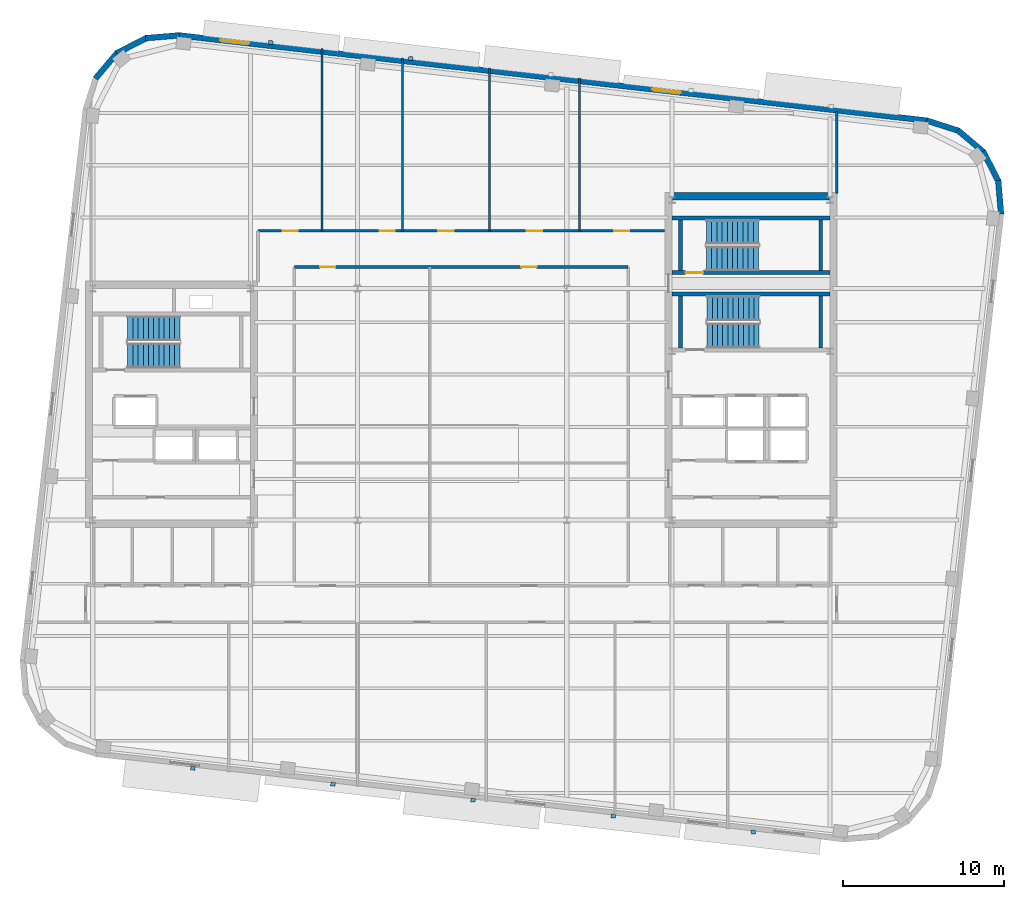
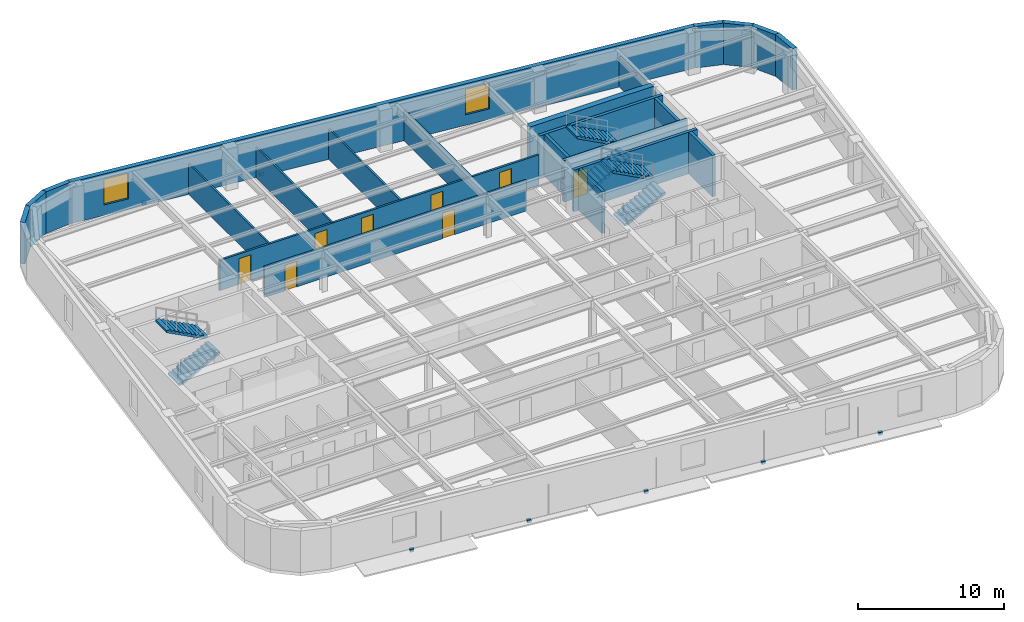
# One storey, part 8 of 13: 23 walls, 8 doors, 7 discrete accessories, 6 stair flights, 2 windows, 10 openings, 3 elements without a shape of their own.
"""IFC4 building model written with IfcOpenShell, lengths in metres."""

from ifc_helpers import new_model, si_unit, direction, frame, frame_2d, origin, origin_2d, place, context, subcontext, project, spatial, polyline, rectangle, outline, extrude, material, layer, layer_set, type_object, element, fill, aggregate, save


model = new_model("IFC4")

# Units and contexts
model_context = context("Model", 3, precision=1e-05, world=origin(), true_north=direction((0.0, 1.0)))
body_context = subcontext(model_context, "Body", "Model", "MODEL_VIEW")
ifc_project = project(units=[si_unit("LENGTHUNIT", "METRE"), si_unit("AREAUNIT", "SQUARE_METRE"), si_unit("VOLUMEUNIT", "CUBIC_METRE"), si_unit("PLANEANGLEUNIT", "RADIAN"), si_unit("MASSUNIT", "GRAM", prefix="KILO")], contexts=[model_context])

# Site, building, storey
site_placement = place(None, origin())
site = spatial("IfcSite", under=ifc_project, at=site_placement, CompositionType="ELEMENT")
building_placement = place(site_placement, origin())
building = spatial("IfcBuilding", under=site, at=building_placement, Name="Kolvaren Arena Tower", CompositionType="ELEMENT")
storey_placement = place(building_placement, frame((0.0, 0.0, 250.949951171875)))
storey = spatial("IfcBuildingStorey", under=building, at=storey_placement, Name="L61", CompositionType="ELEMENT", Elevation=250.949951171875)

# Wall, openings, doors
ifc_material_1 = material(Name="Gypsum board acoustic assembly", Category="gypsum")
ifc_layer_1 = layer(ifc_material_1, 0.159912109375)
ifc_layer_set_1 = layer_set([ifc_layer_1], Name="Gypsum board acoustic assembly")
wall_type_1 = type_object("IfcWallType", Name="CORR-160", PredefinedType="PARTITIONING", material=ifc_layer_set_1)
wall_1_placement = place(storey_placement, frame((24.820068359375, 37.419921875, 0.0), z_axis=(0.0, 0.0, 1.0), x_axis=(1.0, 0.0, 0.0)))
wall_1 = element("IfcWall", 1, at=wall_1_placement, inside=storey, type_object=wall_type_1, Name="Interior Partition Wall (L61)", PredefinedType="PARTITIONING", context=body_context, shape_type="SweptSolid", body=[
    extrude(rectangle(XDim=25.260009765625, YDim=0.159912109375, at=frame_2d((12.6298828125, 0.0))), origin(), (0.0, 0.0, 1.0), 2.5400390625),
])
opening_1_placement = place(wall_1_placement, frame((1.530029296875, 0.0, 0.0)))
opening_1 = element("IfcOpeningElement", 2, at=opening_1_placement, cuts=wall_1, Name="Opening D05", PredefinedType="OPENING", context=body_context, shape_type="SweptSolid", body=[
    extrude(rectangle(XDim=0.949951171875, YDim=2.14990234375, at=frame_2d((0.47509765625, 1.074951171875))), frame((0.0, 0.08984375, 0.0), z_axis=(0.0, -1.0, 0.0), x_axis=(1.0, 0.0, 0.0)), (0.0, 0.0, 1.0), 0.179931640625),
])
opening_2_placement = place(wall_1_placement, frame((7.554931640625, 0.0, 0.0)))
opening_2 = element("IfcOpeningElement", 3, at=opening_2_placement, cuts=wall_1, Name="Opening D05", PredefinedType="OPENING", context=body_context, shape_type="SweptSolid", body=[
    extrude(rectangle(XDim=0.949951171875, YDim=2.14990234375, at=frame_2d((0.47509765625, 1.074951171875))), frame((0.0, 0.08984375, 0.0), z_axis=(0.0, -1.0, 0.0), x_axis=(1.0, 0.0, 0.0)), (0.0, 0.0, 1.0), 0.179931640625),
])
opening_3_placement = place(wall_1_placement, frame((11.205078125, 0.0, 0.0)))
opening_3 = element("IfcOpeningElement", 4, at=opening_3_placement, cuts=wall_1, Name="Opening D05", PredefinedType="OPENING", context=body_context, shape_type="SweptSolid", body=[
    extrude(rectangle(XDim=0.949951171875, YDim=2.14990234375, at=frame_2d((0.47509765625, 1.074951171875))), frame((0.0, 0.08984375, 0.0), z_axis=(0.0, -1.0, 0.0), x_axis=(1.0, 0.0, 0.0)), (0.0, 0.0, 1.0), 0.179931640625),
])
opening_4_placement = place(wall_1_placement, frame((16.705078125, 0.0, 0.0)))
opening_4 = element("IfcOpeningElement", 5, at=opening_4_placement, cuts=wall_1, Name="Opening D05", PredefinedType="OPENING", context=body_context, shape_type="SweptSolid", body=[
    extrude(rectangle(XDim=0.949951171875, YDim=2.14990234375, at=frame_2d((0.47509765625, 1.074951171875))), frame((0.0, 0.08984375, 0.0), z_axis=(0.0, -1.0, 0.0), x_axis=(1.0, 0.0, 0.0)), (0.0, 0.0, 1.0), 0.179931640625),
])
opening_5_placement = place(wall_1_placement, frame((22.1298828125, 0.0, 0.0)))
opening_5 = element("IfcOpeningElement", 6, at=opening_5_placement, cuts=wall_1, Name="Opening D05", PredefinedType="OPENING", context=body_context, shape_type="SweptSolid", body=[
    extrude(rectangle(XDim=0.949951171875, YDim=2.14990234375, at=frame_2d((0.47509765625, 1.074951171875))), frame((0.0, 0.08984375, 0.0), z_axis=(0.0, -1.0, 0.0), x_axis=(1.0, 0.0, 0.0)), (0.0, 0.0, 1.0), 0.179931640625),
])
ifc_material_2 = material(Name="Solid-core oak acoustic office door", Category="wood")
door_type_1 = type_object("IfcDoorType", Name="DOOR-OF-095", OperationType="NOTDEFINED", PredefinedType="DOOR", material=ifc_material_2)
door_1_placement = place(opening_1_placement, origin())
door_1 = element("IfcDoor", 7, at=door_1_placement, inside=storey, type_object=door_type_1, Name="Wellness Room Door (L61)", OperationType="SINGLE_SWING_LEFT", OverallHeight=2.14990234375, OverallWidth=0.949951171875, PredefinedType="DOOR", context=body_context, shape_type="SweptSolid", body=[
    extrude(rectangle(XDim=0.949951171875, YDim=2.14990234375, at=frame_2d((0.47509765625, 1.074951171875))), frame((0.0, 0.02490234375, 0.0), z_axis=(0.0, -1.0, 0.0), x_axis=(1.0, 0.0, 0.0)), (0.0, 0.0, 1.0), 0.050048828125),
])
fill(opening_1, door_1)
door_2_placement = place(opening_2_placement, origin())
door_2 = element("IfcDoor", 8, at=door_2_placement, inside=storey, type_object=door_type_1, Name="Client Lounge Door (L61)", OperationType="SINGLE_SWING_RIGHT", OverallHeight=2.14990234375, OverallWidth=0.949951171875, PredefinedType="DOOR", context=body_context, shape_type="SweptSolid", body=[
    extrude(rectangle(XDim=0.949951171875, YDim=2.14990234375, at=frame_2d((0.47509765625, 1.074951171875))), frame((0.0, 0.02490234375, 0.0), z_axis=(0.0, -1.0, 0.0), x_axis=(1.0, 0.0, 0.0)), (0.0, 0.0, 1.0), 0.050048828125),
])
fill(opening_2, door_2)
door_3_placement = place(opening_3_placement, origin())
door_3 = element("IfcDoor", 9, at=door_3_placement, inside=storey, type_object=door_type_1, Name="Executive Office Door (L61)", OperationType="SINGLE_SWING_LEFT", OverallHeight=2.14990234375, OverallWidth=0.949951171875, PredefinedType="DOOR", context=body_context, shape_type="SweptSolid", body=[
    extrude(rectangle(XDim=0.949951171875, YDim=2.14990234375, at=frame_2d((0.47509765625, 1.074951171875))), frame((0.0, 0.02490234375, 0.0), z_axis=(0.0, -1.0, 0.0), x_axis=(1.0, 0.0, 0.0)), (0.0, 0.0, 1.0), 0.050048828125),
])
fill(opening_3, door_3)
door_4_placement = place(opening_4_placement, origin())
door_4 = element("IfcDoor", 10, at=door_4_placement, inside=storey, type_object=door_type_1, Name="Training Seminar Room Door (L61)", OperationType="SINGLE_SWING_RIGHT", OverallHeight=2.14990234375, OverallWidth=0.949951171875, PredefinedType="DOOR", context=body_context, shape_type="SweptSolid", body=[
    extrude(rectangle(XDim=0.949951171875, YDim=2.14990234375, at=frame_2d((0.47509765625, 1.074951171875))), frame((0.0, 0.02490234375, 0.0), z_axis=(0.0, -1.0, 0.0), x_axis=(1.0, 0.0, 0.0)), (0.0, 0.0, 1.0), 0.050048828125),
])
fill(opening_4, door_4)
door_5_placement = place(opening_5_placement, origin())
door_5 = element("IfcDoor", 11, at=door_5_placement, inside=storey, type_object=door_type_1, Name="Boardroom Door (L61)", OperationType="SINGLE_SWING_LEFT", OverallHeight=2.14990234375, OverallWidth=0.949951171875, PredefinedType="DOOR", context=body_context, shape_type="SweptSolid", body=[
    extrude(rectangle(XDim=0.949951171875, YDim=2.14990234375, at=frame_2d((0.47509765625, 1.074951171875))), frame((0.0, 0.02490234375, 0.0), z_axis=(0.0, -1.0, 0.0), x_axis=(1.0, 0.0, 0.0)), (0.0, 0.0, 1.0), 0.050048828125),
])
fill(opening_5, door_5)

wall_2_placement = place(storey_placement, frame((27.080078125, 35.179931640625, 0.0), z_axis=(0.0, 0.0, 1.0), x_axis=(1.0, 0.0, 0.0)))
wall_2 = element("IfcWall", 12, at=wall_2_placement, inside=storey, type_object=wall_type_1, Name="Interior Partition Wall (L61)", PredefinedType="PARTITIONING", context=body_context, shape_type="SweptSolid", body=[
    extrude(rectangle(XDim=20.739990234375, YDim=0.159912109375, at=frame_2d((10.3701171875, 0.0))), origin(), (0.0, 0.0, 1.0), 2.5400390625),
])
opening_6_placement = place(wall_2_placement, frame((1.594970703125, 0.0, 0.0)))
opening_6 = element("IfcOpeningElement", 13, at=opening_6_placement, cuts=wall_2, Name="Opening D05", PredefinedType="OPENING", context=body_context, shape_type="SweptSolid", body=[
    extrude(rectangle(XDim=0.949951171875, YDim=2.14990234375, at=frame_2d((0.47509765625, 1.074951171875))), frame((0.0, 0.08984375, 0.0), z_axis=(0.0, -1.0, 0.0), x_axis=(1.0, 0.0, 0.0)), (0.0, 0.0, 1.0), 0.179931640625),
])
opening_7_placement = place(wall_2_placement, frame((14.094970703125, 0.0, 0.0)))
opening_7 = element("IfcOpeningElement", 14, at=opening_7_placement, cuts=wall_2, Name="Opening D05", PredefinedType="OPENING", context=body_context, shape_type="SweptSolid", body=[
    extrude(rectangle(XDim=0.949951171875, YDim=2.14990234375, at=frame_2d((0.47509765625, 1.074951171875))), frame((0.0, 0.08984375, 0.0), z_axis=(0.0, -1.0, 0.0), x_axis=(1.0, 0.0, 0.0)), (0.0, 0.0, 1.0), 0.179931640625),
])
door_6_placement = place(opening_6_placement, origin())
door_6 = element("IfcDoor", 15, at=door_6_placement, inside=storey, type_object=door_type_1, Name="Breakout Pantry and Kitchen Door (L61)", OperationType="SINGLE_SWING_RIGHT", OverallHeight=2.14990234375, OverallWidth=0.949951171875, PredefinedType="DOOR", context=body_context, shape_type="SweptSolid", body=[
    extrude(rectangle(XDim=0.949951171875, YDim=2.14990234375, at=frame_2d((0.47509765625, 1.074951171875))), frame((0.0, 0.02490234375, 0.0), z_axis=(0.0, -1.0, 0.0), x_axis=(1.0, 0.0, 0.0)), (0.0, 0.0, 1.0), 0.050048828125),
])
fill(opening_6, door_6)
door_7_placement = place(opening_7_placement, origin())
door_7 = element("IfcDoor", 16, at=door_7_placement, inside=storey, type_object=door_type_1, Name="Open Plan Office Door (L61)", OperationType="SINGLE_SWING_RIGHT", OverallHeight=2.14990234375, OverallWidth=0.949951171875, PredefinedType="DOOR", context=body_context, shape_type="SweptSolid", body=[
    extrude(rectangle(XDim=0.949951171875, YDim=2.14990234375, at=frame_2d((0.47509765625, 1.074951171875))), frame((0.0, 0.02490234375, 0.0), z_axis=(0.0, -1.0, 0.0), x_axis=(1.0, 0.0, 0.0)), (0.0, 0.0, 1.0), 0.050048828125),
])
fill(opening_7, door_7)

# Walls
ifc_material_3 = material(Name="Concrete 55 MPa", Category="concrete")
ifc_layer_2 = layer(ifc_material_3, 0.449951171875)
ifc_layer_set_2 = layer_set([ifc_layer_2], Name="Concrete 55 MPa")
wall_type_2 = type_object("IfcWallType", Name="CWALL-450", PredefinedType="SHEAR", material=ifc_layer_set_2)
wall_3_placement = place(storey_placement, frame((50.550048828125, 39.574951171875, -0.27001953125), z_axis=(0.0, 0.0, 1.0), x_axis=(1.0, 0.0, 0.0)))
element("IfcWall", 17, at=wall_3_placement, inside=storey, type_object=wall_type_2, Name="Core Shear Wall EC-NORTH (L61)", PredefinedType="SHEAR", context=body_context, shape_type="SweptSolid", body=[
    extrude(rectangle(XDim=9.800048828125, YDim=0.449951171875, at=frame_2d((4.89990234375, 0.0))), origin(), (0.0, 0.0, 1.0), 3.75),
])
ifc_material_4 = material(Name="Precast concrete C50/60", Category="concrete")
ifc_layer_3 = layer(ifc_material_4, 0.360107421875)
ifc_layer_set_3 = layer_set([ifc_layer_3], Name="Precast concrete C50/60")
wall_type_3 = type_object("IfcWallType", Name="EXT-PIER2", PredefinedType="SOLIDWALL", material=ifc_layer_set_3)
wall_4_placement = place(storey_placement, frame((70.813720703125, 40.563720703125, 0.0), z_axis=(0.0, 0.0, 1.0), x_axis=(0.082853678144, -0.996561723135, 0.0)))
element("IfcWall", 18, at=wall_4_placement, inside=storey, type_object=wall_type_3, Name="Exterior Precast Masonry-Frame Wall (L61)", PredefinedType="SOLIDWALL", context=body_context, shape_type="SweptSolid", body=[
    extrude(rectangle(XDim=2.10693359375, YDim=0.360107421875, at=frame_2d((1.053466796875, 0.0))), origin(), (0.0, 0.0, 1.0), 3.47998046875),
])
for number, where, z_axis, x_axis, name in (
    (19, (69.868408203125, 42.369384765625, 0.0), (0.0, 0.0, 1.0), (0.457887222333, -0.889010287693, 0.0), "Exterior Precast Masonry-Frame Wall (L61)"),
    (20, (68.303955078125, 43.67578125, 0.0), (0.0, 0.0, 1.0), (0.763192878975, -0.646170743289, 0.0), "Exterior Precast Masonry-Frame Wall (L61)"),
    (21, (66.358642578125, 44.283935546875, 0.0), (0.0, 0.0, 1.0), (0.952403965565, -0.304838787518, 0.0), "Exterior Precast Masonry-Frame Wall (L61)"),
):
    element("IfcWall", number, at=place(storey_placement, frame(where, z_axis=z_axis, x_axis=x_axis)), inside=storey, type_object=wall_type_3, Name=name, PredefinedType="SOLIDWALL", context=body_context, shape_type="SweptSolid", body=[
        extrude(rectangle(XDim=2.107177734375, YDim=0.360107421875, at=frame_2d((1.0537109375, 0.0))), origin(), (0.0, 0.0, 1.0), 3.47998046875),
    ])

# Wall, openings, windows
wall_5_placement = place(storey_placement, frame((19.89404296875, 49.57470703125, 0.0), z_axis=(0.0, 0.0, 1.0), x_axis=(0.993571439016, -0.113206870688, 0.0)))
wall_5 = element("IfcWall", 22, at=wall_5_placement, inside=storey, type_object=wall_type_3, Name="Exterior Precast Masonry-Frame Wall (L61)", PredefinedType="SOLIDWALL", context=body_context, shape_type="SweptSolid", body=[
    extrude(rectangle(XDim=46.800048828125, YDim=0.360107421875, at=frame_2d((23.39990234375, 0.0))), origin(), (0.0, 0.0, 1.0), 3.47998046875),
])
opening_8_placement = place(wall_5_placement, frame((2.60009765625, 0.0, 0.8798828125)))
opening_8 = element("IfcOpeningElement", 23, at=opening_8_placement, cuts=wall_5, Name="Opening W02", PredefinedType="OPENING", context=body_context, shape_type="SweptSolid", body=[
    extrude(rectangle(XDim=1.800048828125, YDim=2.14990234375, at=frame_2d((0.89990234375, 1.074951171875))), frame((0.0, 0.18994140625, 0.0), z_axis=(0.0, -1.0, 0.0), x_axis=(1.0, 0.0, 0.0)), (0.0, 0.0, 1.0), 0.380126953125),
])
opening_9_placement = place(wall_5_placement, frame((29.60009765625, 0.0, 0.8798828125)))
opening_9 = element("IfcOpeningElement", 24, at=opening_9_placement, cuts=wall_5, Name="Opening W02", PredefinedType="OPENING", context=body_context, shape_type="SweptSolid", body=[
    extrude(rectangle(XDim=1.800048828125, YDim=2.14990234375, at=frame_2d((0.89990234375, 1.074951171875))), frame((0.0, 0.18994140625, 0.0), z_axis=(0.0, -1.0, 0.0), x_axis=(1.0, 0.0, 0.0)), (0.0, 0.0, 1.0), 0.380126953125),
])
ifc_material_5 = material(Name="Triple-glazed low-E aluminium window", Category="aluminium")
window_type = type_object("IfcWindowType", Name="WIN-OFF-B", PartitioningType="DOUBLE_PANEL_VERTICAL", PredefinedType="WINDOW", material=ifc_material_5)
window_1_placement = place(opening_8_placement, origin())
window_1 = element("IfcWindow", 25, at=window_1_placement, inside=storey, type_object=window_type, Name="Punched Precast-Pier Window (L61)", OverallHeight=2.14990234375, OverallWidth=1.800048828125, PartitioningType="DOUBLE_PANEL_VERTICAL", PredefinedType="WINDOW", context=body_context, shape_type="SweptSolid", body=[
    extrude(rectangle(XDim=1.800048828125, YDim=2.14990234375, at=frame_2d((0.89990234375, 1.074951171875))), frame((0.0, 0.030029296875, 0.0), z_axis=(0.0, -1.0, 0.0), x_axis=(1.0, 0.0, 0.0)), (0.0, 0.0, 1.0), 0.06005859375),
])
fill(opening_8, window_1)
window_2_placement = place(opening_9_placement, origin())
window_2 = element("IfcWindow", 26, at=window_2_placement, inside=storey, type_object=window_type, Name="Punched Precast-Pier Window (L61)", OverallHeight=2.14990234375, OverallWidth=1.800048828125, PartitioningType="DOUBLE_PANEL_VERTICAL", PredefinedType="WINDOW", context=body_context, shape_type="SweptSolid", body=[
    extrude(rectangle(XDim=1.800048828125, YDim=2.14990234375, at=frame_2d((0.89990234375, 1.074951171875))), frame((0.0, 0.030029296875, 0.0), z_axis=(0.0, -1.0, 0.0), x_axis=(1.0, 0.0, 0.0)), (0.0, 0.0, 1.0), 0.06005859375),
])
fill(opening_9, window_2)

# Walls
for number, where, z_axis, x_axis, name in (
    (27, (17.82958984375, 49.3994140625, 0.0), (0.0, 0.0, 1.0), (0.996562518477, 0.082844111233, 0.0), "Exterior Precast Masonry-Frame Wall (L61)"),
    (28, (16.02392578125, 48.4541015625, 0.0), (0.0, 0.0, 1.0), (0.889010287693, 0.457887222333, 0.0), "Exterior Precast Masonry-Frame Wall (L61)"),
    (29, (14.717529296875, 46.8896484375, 0.0), (0.0, 0.0, 1.0), (0.646170743289, 0.763192878975, 0.0), "Exterior Precast Masonry-Frame Wall (L61)"),
):
    element("IfcWall", number, at=place(storey_placement, frame(where, z_axis=z_axis, x_axis=x_axis)), inside=storey, type_object=wall_type_3, Name=name, PredefinedType="SOLIDWALL", context=body_context, shape_type="SweptSolid", body=[
        extrude(rectangle(XDim=2.107177734375, YDim=0.360107421875, at=frame_2d((1.0537109375, 0.0))), origin(), (0.0, 0.0, 1.0), 3.47998046875),
    ])
ifc_material_6 = material(Name="Gypsum board partition assembly", Category="gypsum")
ifc_layer_4 = layer(ifc_material_6, 0.135009765625)
ifc_layer_set_4 = layer_set([ifc_layer_4], Name="Gypsum board partition assembly")
wall_type_4 = type_object("IfcWallType", Name="PART-135", PredefinedType="PARTITIONING", material=ifc_layer_set_4)
wall_6_placement = place(storey_placement, frame((28.800048828125, 37.419921875, 0.0), z_axis=(0.0, 0.0, 1.0), x_axis=(0.0, 1.0, 0.0)))
element("IfcWall", 30, at=wall_6_placement, inside=storey, type_object=wall_type_4, Name="Interior Partition Wall (L61)", PredefinedType="PARTITIONING", context=body_context, shape_type="SweptSolid", body=[
    extrude(rectangle(XDim=11.321044921875, YDim=0.135009765625, at=frame_2d((5.66064453125, 0.0))), origin(), (0.0, 0.0, 1.0), 2.5400390625),
])
wall_7_placement = place(storey_placement, frame((33.800048828125, 37.419921875, 0.0), z_axis=(0.0, 0.0, 1.0), x_axis=(0.0, 1.0, 0.0)))
element("IfcWall", 31, at=wall_7_placement, inside=storey, type_object=wall_type_4, Name="Interior Partition Wall (L61)", PredefinedType="PARTITIONING", context=body_context, shape_type="SweptSolid", body=[
    extrude(rectangle(XDim=10.75146484375, YDim=0.135009765625, at=frame_2d((5.375732421875, 0.0))), origin(), (0.0, 0.0, 1.0), 2.5400390625),
])
wall_8_placement = place(storey_placement, frame((39.199951171875, 37.419921875, 0.0), z_axis=(0.0, 0.0, 1.0), x_axis=(0.0, 1.0, 0.0)))
element("IfcWall", 32, at=wall_8_placement, inside=storey, type_object=wall_type_4, Name="Interior Partition Wall (L61)", PredefinedType="PARTITIONING", context=body_context, shape_type="SweptSolid", body=[
    extrude(rectangle(XDim=10.13623046875, YDim=0.135009765625, at=frame_2d((5.068115234375, 0.0))), origin(), (0.0, 0.0, 1.0), 2.5400390625),
])
wall_9_placement = place(storey_placement, frame((44.800048828125, 37.419921875, 0.0), z_axis=(0.0, 0.0, 1.0), x_axis=(0.0, 1.0, 0.0)))
element("IfcWall", 33, at=wall_9_placement, inside=storey, type_object=wall_type_4, Name="Interior Partition Wall (L61)", PredefinedType="PARTITIONING", context=body_context, shape_type="SweptSolid", body=[
    extrude(rectangle(XDim=9.498046875, YDim=0.135009765625, at=frame_2d((4.7490234375, 0.0))), origin(), (0.0, 0.0, 1.0), 2.5400390625),
])
wall_10_placement = place(storey_placement, frame((60.780029296875, 39.75, 0.0), z_axis=(0.0, 0.0, 1.0), x_axis=(0.0, 1.0, 0.0)))
element("IfcWall", 34, at=wall_10_placement, inside=storey, type_object=wall_type_4, Name="Interior Partition Wall (L61)", PredefinedType="PARTITIONING", context=body_context, shape_type="SweptSolid", body=[
    extrude(rectangle(XDim=5.105712890625, YDim=0.135009765625, at=frame_2d((2.552734375, 0.0))), origin(), (0.0, 0.0, 1.0), 2.5400390625),
])
ifc_material_7 = material(Name="Concrete 45 MPa", Category="concrete")
ifc_layer_5 = layer(ifc_material_7, 0.25)
ifc_layer_set_5 = layer_set([ifc_layer_5], Name="Concrete 45 MPa")
wall_type_5 = type_object("IfcWallType", Name="SHAFT-250", PredefinedType="SOLIDWALL", material=ifc_layer_set_5)
wall_11_placement = place(storey_placement, frame((50.550048828125, 33.5, 0.0), z_axis=(0.0, 0.0, 1.0), x_axis=(1.0, 0.0, 0.0)))
element("IfcWall", 35, at=wall_11_placement, inside=storey, type_object=wall_type_5, Name="Core Shaft Wall (L61)", PredefinedType="SOLIDWALL", context=body_context, shape_type="SweptSolid", body=[
    extrude(rectangle(XDim=9.800048828125, YDim=0.239990234375, at=frame_2d((4.89990234375, 0.0))), origin(), (0.0, 0.0, 1.0), 3.47998046875),
])
for number, where, z_axis, x_axis, name in (
    (36, (51.06005859375, 30.14990234375, 0.0), (0.0, 0.0, 1.0), (0.0, 1.0, 0.0), "Core Shaft Wall (L61)"),
    (37, (59.780029296875, 30.14990234375, 0.0), (0.0, 0.0, 1.0), (0.0, 1.0, 0.0), "Core Shaft Wall (L61)"),
):
    element("IfcWall", number, at=place(storey_placement, frame(where, z_axis=z_axis, x_axis=x_axis)), inside=storey, type_object=wall_type_5, Name=name, PredefinedType="SOLIDWALL", context=body_context, shape_type="SweptSolid", body=[
        extrude(rectangle(XDim=3.22998046875, YDim=0.239990234375, at=frame_2d((1.614990234375, 0.0))), origin(), (0.0, 0.0, 1.0), 3.47998046875),
    ])

# Wall, opening, door
wall_12_placement = place(storey_placement, frame((60.35009765625, 34.830078125, 0.0), z_axis=(0.0, 0.0, 1.0), x_axis=(-1.0, 0.0, 0.0)))
wall_12 = element("IfcWall", 38, at=wall_12_placement, inside=storey, type_object=wall_type_5, Name="Core Shaft Wall (L61)", PredefinedType="SOLIDWALL", context=body_context, shape_type="SweptSolid", body=[
    extrude(rectangle(XDim=9.800048828125, YDim=0.239990234375, at=frame_2d((4.89990234375, 0.0))), origin(), (0.0, 0.0, 1.0), 3.47998046875),
])
opening_10_placement = place(wall_12_placement, frame((7.8701171875, 0.0, 0.0)))
opening_10 = element("IfcOpeningElement", 39, at=opening_10_placement, cuts=wall_12, Name="Opening D03", PredefinedType="OPENING", context=body_context, shape_type="SweptSolid", body=[
    extrude(rectangle(XDim=1.10009765625, YDim=2.14990234375, at=frame_2d((0.550048828125, 1.074951171875))), frame((0.0, 0.1298828125, 0.0), z_axis=(0.0, -1.0, 0.0), x_axis=(1.0, 0.0, 0.0)), (0.0, 0.0, 1.0), 0.260009765625),
])
ifc_material_8 = material(Name="Fire-rated steel exit stair door", Category="steel")
door_type_2 = type_object("IfcDoorType", Name="DOOR-ST-110", OperationType="NOTDEFINED", PredefinedType="DOOR", material=ifc_material_8)
door_8_placement = place(opening_10_placement, origin())
door_8 = element("IfcDoor", 40, at=door_8_placement, inside=storey, type_object=door_type_2, Name="Stair ST-E2 Fire Door (L61)", OperationType="SINGLE_SWING_LEFT", OverallHeight=2.14990234375, OverallWidth=1.10009765625, PredefinedType="DOOR", context=body_context, shape_type="SweptSolid", body=[
    extrude(rectangle(XDim=1.10009765625, YDim=2.14990234375, at=frame_2d((0.550048828125, 1.074951171875))), frame((0.0, 0.02490234375, 0.0), z_axis=(0.0, -1.0, 0.0), x_axis=(1.0, 0.0, 0.0)), (0.0, 0.0, 1.0), 0.050048828125),
])
fill(opening_10, door_8)

# Walls
wall_13_placement = place(storey_placement, frame((50.550048828125, 38.219970703125, 0.0), z_axis=(0.0, 0.0, 1.0), x_axis=(1.0, 0.0, 0.0)))
element("IfcWall", 41, at=wall_13_placement, inside=storey, type_object=wall_type_5, Name="Core Shaft Wall (L61)", PredefinedType="SOLIDWALL", context=body_context, shape_type="SweptSolid", body=[
    extrude(rectangle(XDim=9.800048828125, YDim=0.239990234375, at=frame_2d((4.89990234375, 0.0))), origin(), (0.0, 0.0, 1.0), 3.47998046875),
])
for number, where, z_axis, x_axis, name in (
    (42, (51.06005859375, 34.949951171875, 0.0), (0.0, 0.0, 1.0), (0.0, 1.0, 0.0), "Core Shaft Wall (L61)"),
    (43, (59.780029296875, 34.949951171875, 0.0), (0.0, 0.0, 1.0), (0.0, 1.0, 0.0), "Core Shaft Wall (L61)"),
):
    element("IfcWall", number, at=place(storey_placement, frame(where, z_axis=z_axis, x_axis=x_axis)), inside=storey, type_object=wall_type_5, Name=name, PredefinedType="SOLIDWALL", context=body_context, shape_type="SweptSolid", body=[
        extrude(rectangle(XDim=3.150146484375, YDim=0.239990234375, at=frame_2d((1.5751953125, 0.0))), origin(), (0.0, 0.0, 1.0), 3.47998046875),
    ])

# Stair, stair flights
stair_type_1 = type_object("IfcStairType", Name="STAIR-CORE-150", PredefinedType="HALF_TURN_STAIR", material=ifc_material_7)
stair_1_placement = place(storey_placement, origin())
stair_1 = element("IfcStair", 44, at=stair_1_placement, inside=storey, type_object=stair_type_1, Name="L61 ST-E2", PredefinedType="HALF_TURN_STAIR")
stair_flight_type_1 = type_object("IfcStairFlightType", Name="FLT-150", PredefinedType="STRAIGHT", material=ifc_material_7)
stair_flight_1_placement = place(storey_placement, frame((52.679931640625, 35.699951171875, 0.0), z_axis=(0.0, 0.0, 1.0), x_axis=(1.0, 0.0, 0.0)))
stair_flight_1 = element("IfcStairFlight", 45, at=stair_flight_1_placement, type_object=stair_flight_type_1, Name="ST-E2 flight 1", NumberOfRisers=11, NumberOfTreads=10, PredefinedType="STRAIGHT", RiserHeight=0.170454545, TreadLength=0.324, context=body_context, shape_type="SweptSolid", body=[
    extrude(outline(polyline([(0.0, 0.0), (0.0, 0.17041015625), (0.323974609375, 0.17041015625), (0.323974609375, 0.3408203125), (0.64794921875, 0.3408203125), (0.64794921875, 0.511474609375), (0.971923828125, 0.511474609375), (0.971923828125, 0.681884765625), (1.2958984375, 0.681884765625), (1.2958984375, 0.852294921875), (1.6201171875, 0.852294921875), (1.6201171875, 1.022705078125), (1.944091796875, 1.022705078125), (1.944091796875, 1.193115234375), (2.26806640625, 1.193115234375), (2.26806640625, 1.363525390625), (2.592041015625, 1.363525390625), (2.592041015625, 1.5341796875), (2.916015625, 1.5341796875), (2.916015625, 1.70458984375), (3.239990234375, 1.70458984375), (3.239990234375, 1.875), (3.239990234375, 1.53515625), (0.322021484375, 0.0), (0.0, 0.0)])), frame((0.0, 0.75, 0.0), z_axis=(0.0, -1.0, 0.0), x_axis=(1.0, 0.0, 0.0)), (0.0, 0.0, 1.0), 1.5),
])
stair_flight_2_placement = place(storey_placement, frame((55.919921875, 37.35009765625, 1.875), z_axis=(0.0, 0.0, 1.0), x_axis=(-1.0, 0.0, 0.0)))
stair_flight_2 = element("IfcStairFlight", 46, at=stair_flight_2_placement, type_object=stair_flight_type_1, Name="ST-E2 flight 2", NumberOfRisers=11, NumberOfTreads=10, PredefinedType="STRAIGHT", RiserHeight=0.170454545, TreadLength=0.324, context=body_context, shape_type="SweptSolid", body=[
    extrude(outline(polyline([(0.0, 0.0), (0.0, 0.17041015625), (0.323974609375, 0.17041015625), (0.323974609375, 0.3408203125), (0.64794921875, 0.3408203125), (0.64794921875, 0.511474609375), (0.971923828125, 0.511474609375), (0.971923828125, 0.681884765625), (1.2958984375, 0.681884765625), (1.2958984375, 0.852294921875), (1.6201171875, 0.852294921875), (1.6201171875, 1.022705078125), (1.944091796875, 1.022705078125), (1.944091796875, 1.193115234375), (2.26806640625, 1.193115234375), (2.26806640625, 1.363525390625), (2.592041015625, 1.363525390625), (2.592041015625, 1.5341796875), (2.916015625, 1.5341796875), (2.916015625, 1.70458984375), (3.239990234375, 1.70458984375), (3.239990234375, 1.875), (3.239990234375, 1.53515625), (0.322021484375, 0.0), (0.0, 0.0)])), frame((0.0, 0.75, 0.0), z_axis=(0.0, -1.0, 0.0), x_axis=(1.0, 0.0, 0.0)), (0.0, 0.0, 1.0), 1.5),
])
aggregate(stair_1, [stair_flight_1, stair_flight_2])

stair_type_2 = type_object("IfcStairType", Name="STAIR-CORE-165", PredefinedType="HALF_TURN_STAIR", material=ifc_material_7)
stair_2_placement = place(storey_placement, origin())
stair_2 = element("IfcStair", 47, at=stair_2_placement, inside=storey, type_object=stair_type_2, Name="L61 ST-W1", PredefinedType="HALF_TURN_STAIR")
stair_flight_type_2 = type_object("IfcStairFlightType", Name="FLT-165", PredefinedType="STRAIGHT", material=ifc_material_7)
stair_flight_3_placement = place(storey_placement, frame((16.719970703125, 29.669921875, 0.0), z_axis=(0.0, 0.0, 1.0), x_axis=(1.0, 0.0, 0.0)))
stair_flight_3 = element("IfcStairFlight", 48, at=stair_flight_3_placement, type_object=stair_flight_type_2, Name="ST-W1 flight 1", NumberOfRisers=11, NumberOfTreads=10, PredefinedType="STRAIGHT", RiserHeight=0.170454545, TreadLength=0.324, context=body_context, shape_type="SweptSolid", body=[
    extrude(outline(polyline([(0.0, 0.0), (0.0, 0.17041015625), (0.323974609375, 0.17041015625), (0.323974609375, 0.3408203125), (0.64794921875, 0.3408203125), (0.64794921875, 0.511474609375), (0.971923828125, 0.511474609375), (0.971923828125, 0.681884765625), (1.2958984375, 0.681884765625), (1.2958984375, 0.852294921875), (1.6201171875, 0.852294921875), (1.6201171875, 1.022705078125), (1.944091796875, 1.022705078125), (1.944091796875, 1.193115234375), (2.26806640625, 1.193115234375), (2.26806640625, 1.363525390625), (2.592041015625, 1.363525390625), (2.592041015625, 1.5341796875), (2.916015625, 1.5341796875), (2.916015625, 1.70458984375), (3.239990234375, 1.70458984375), (3.239990234375, 1.875), (3.239990234375, 1.53515625), (0.322021484375, 0.0), (0.0, 0.0)])), frame((0.0, 0.77001953125, 0.0), z_axis=(0.0, -1.0, 0.0), x_axis=(1.0, 0.0, 0.0)), (0.0, 0.0, 1.0), 1.5400390625),
])
stair_flight_4_placement = place(storey_placement, frame((19.9599609375, 31.360107421875, 1.875), z_axis=(0.0, 0.0, 1.0), x_axis=(-1.0, 0.0, 0.0)))
stair_flight_4 = element("IfcStairFlight", 49, at=stair_flight_4_placement, type_object=stair_flight_type_2, Name="ST-W1 flight 2", NumberOfRisers=11, NumberOfTreads=10, PredefinedType="STRAIGHT", RiserHeight=0.170454545, TreadLength=0.324, context=body_context, shape_type="SweptSolid", body=[
    extrude(outline(polyline([(0.0, 0.0), (0.0, 0.17041015625), (0.323974609375, 0.17041015625), (0.323974609375, 0.3408203125), (0.64794921875, 0.3408203125), (0.64794921875, 0.511474609375), (0.971923828125, 0.511474609375), (0.971923828125, 0.681884765625), (1.2958984375, 0.681884765625), (1.2958984375, 0.852294921875), (1.6201171875, 0.852294921875), (1.6201171875, 1.022705078125), (1.944091796875, 1.022705078125), (1.944091796875, 1.193115234375), (2.26806640625, 1.193115234375), (2.26806640625, 1.363525390625), (2.592041015625, 1.363525390625), (2.592041015625, 1.5341796875), (2.916015625, 1.5341796875), (2.916015625, 1.70458984375), (3.239990234375, 1.70458984375), (3.239990234375, 1.875), (3.239990234375, 1.53515625), (0.322021484375, 0.0), (0.0, 0.0)])), frame((0.0, 0.77001953125, 0.0), z_axis=(0.0, -1.0, 0.0), x_axis=(1.0, 0.0, 0.0)), (0.0, 0.0, 1.0), 1.5400390625),
])
aggregate(stair_2, [stair_flight_3, stair_flight_4])

stair_3_placement = place(storey_placement, origin())
stair_3 = element("IfcStair", 50, at=stair_3_placement, inside=storey, type_object=stair_type_2, Name="L61 ST-E1", PredefinedType="HALF_TURN_STAIR")
stair_flight_5_placement = place(storey_placement, frame((52.719970703125, 30.919921875, 0.0), z_axis=(0.0, 0.0, 1.0), x_axis=(1.0, 0.0, 0.0)))
stair_flight_5 = element("IfcStairFlight", 51, at=stair_flight_5_placement, type_object=stair_flight_type_2, Name="ST-E1 flight 1", NumberOfRisers=11, NumberOfTreads=10, PredefinedType="STRAIGHT", RiserHeight=0.170454545, TreadLength=0.324, context=body_context, shape_type="SweptSolid", body=[
    extrude(outline(polyline([(0.0, 0.0), (0.0, 0.17041015625), (0.323974609375, 0.17041015625), (0.323974609375, 0.3408203125), (0.64794921875, 0.3408203125), (0.64794921875, 0.511474609375), (0.971923828125, 0.511474609375), (0.971923828125, 0.681884765625), (1.2958984375, 0.681884765625), (1.2958984375, 0.852294921875), (1.6201171875, 0.852294921875), (1.6201171875, 1.022705078125), (1.944091796875, 1.022705078125), (1.944091796875, 1.193115234375), (2.26806640625, 1.193115234375), (2.26806640625, 1.363525390625), (2.592041015625, 1.363525390625), (2.592041015625, 1.5341796875), (2.916015625, 1.5341796875), (2.916015625, 1.70458984375), (3.239990234375, 1.70458984375), (3.239990234375, 1.875), (3.239990234375, 1.53515625), (0.322021484375, 0.0), (0.0, 0.0)])), frame((0.0, 0.77001953125, 0.0), z_axis=(0.0, -1.0, 0.0), x_axis=(1.0, 0.0, 0.0)), (0.0, 0.0, 1.0), 1.5400390625),
])
stair_flight_6_placement = place(storey_placement, frame((55.9599609375, 32.610107421875, 1.875), z_axis=(0.0, 0.0, 1.0), x_axis=(-1.0, 0.0, 0.0)))
stair_flight_6 = element("IfcStairFlight", 52, at=stair_flight_6_placement, type_object=stair_flight_type_2, Name="ST-E1 flight 2", NumberOfRisers=11, NumberOfTreads=10, PredefinedType="STRAIGHT", RiserHeight=0.170454545, TreadLength=0.324, context=body_context, shape_type="SweptSolid", body=[
    extrude(outline(polyline([(0.0, 0.0), (0.0, 0.17041015625), (0.323974609375, 0.17041015625), (0.323974609375, 0.3408203125), (0.64794921875, 0.3408203125), (0.64794921875, 0.511474609375), (0.971923828125, 0.511474609375), (0.971923828125, 0.681884765625), (1.2958984375, 0.681884765625), (1.2958984375, 0.852294921875), (1.6201171875, 0.852294921875), (1.6201171875, 1.022705078125), (1.944091796875, 1.022705078125), (1.944091796875, 1.193115234375), (2.26806640625, 1.193115234375), (2.26806640625, 1.363525390625), (2.592041015625, 1.363525390625), (2.592041015625, 1.5341796875), (2.916015625, 1.5341796875), (2.916015625, 1.70458984375), (3.239990234375, 1.70458984375), (3.239990234375, 1.875), (3.239990234375, 1.53515625), (0.322021484375, 0.0), (0.0, 0.0)])), frame((0.0, 0.77001953125, 0.0), z_axis=(0.0, -1.0, 0.0), x_axis=(1.0, 0.0, 0.0)), (0.0, 0.0, 1.0), 1.5400390625),
])
aggregate(stair_3, [stair_flight_5, stair_flight_6])

# Discrete accessories
ifc_material_9 = material(Name="Stainless steel facade support bracket", Category="steel")
discrete_accessory_type = type_object("IfcDiscreteAccessoryType", Name="ACC-BRKT-1", PredefinedType="BRACKET", material=ifc_material_9)
for number, where, z_axis, x_axis, name in (
    (53, (25.60986328125, 49.12451171875, -0.18017578125), (0.0, 0.0, 1.0), (0.993571658098, -0.113204947878, 0.0), "Sunshade Support Bracket (L61)"),
    (54, (34.313720703125, 48.1328125, -0.18017578125), (0.0, 0.0, 1.0), (0.993571658098, -0.113204947878, 0.0), "Sunshade Support Bracket (L61)"),
    (55, (55.590087890625, 0.075439453125, -0.18017578125), (0.0, 0.0, 1.0), (-0.993571658098, 0.113204947878, 0.0), "Sunshade Support Bracket (L61)"),
    (56, (46.886474609375, 1.067138671875, -0.18017578125), (0.0, 0.0, 1.0), (-0.993571658098, 0.113204947878, 0.0), "Sunshade Support Bracket (L61)"),
    (57, (38.1826171875, 2.05859375, -0.18017578125), (0.0, 0.0, 1.0), (-0.993571658098, 0.113204947878, 0.0), "Sunshade Support Bracket (L61)"),
    (58, (29.47900390625, 3.05029296875, -0.18017578125), (0.0, 0.0, 1.0), (-0.993571658098, 0.113204947878, 0.0), "Sunshade Support Bracket (L61)"),
    (59, (20.775390625, 4.0419921875, -0.18017578125), (0.0, 0.0, 1.0), (-0.993571658098, 0.113204947878, 0.0), "Sunshade Support Bracket (L61)"),
):
    element("IfcDiscreteAccessory", number, at=place(storey_placement, frame(where, z_axis=z_axis, x_axis=x_axis)), inside=storey, type_object=discrete_accessory_type, Name=name, PredefinedType="BRACKET", context=body_context, shape_type="SweptSolid", body=[
        extrude(rectangle(XDim=0.280029296875, YDim=0.239990234375, at=origin_2d()), origin(), (0.0, 0.0, 1.0), 0.239990234375),
    ])

save(model, "model.ifc")
